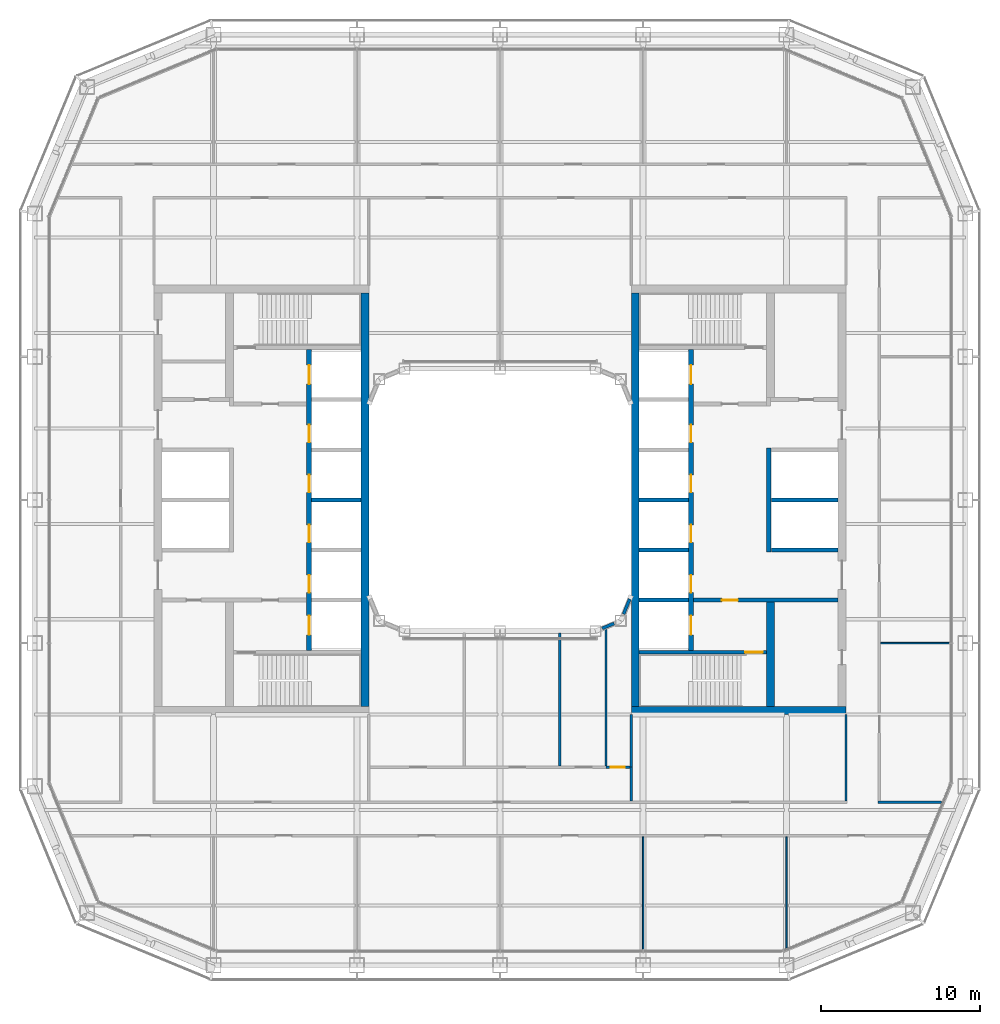
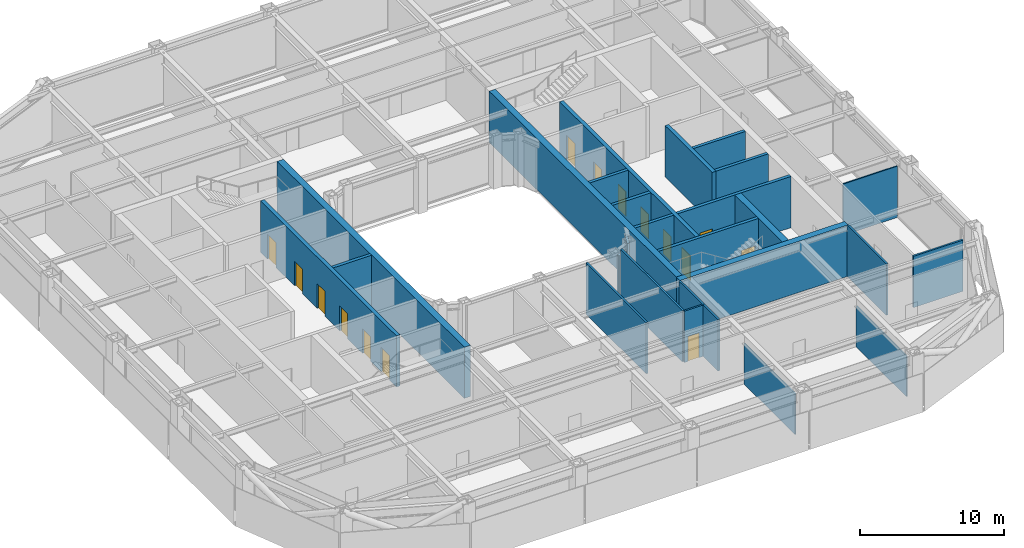
# One storey, part 12 of 21: 27 walls, 15 doors, 15 openings.
"""IFC4 building model written with IfcOpenShell, lengths in metres."""

from ifc_helpers import new_model, si_unit, direction, frame, frame_2d, origin, place, context, subcontext, project, spatial, rectangle, extrude, material, layer, layer_set, type_object, element, fill, save


model = new_model("IFC4")

# Units and contexts
model_context = context("Model", 3, precision=1e-05, world=origin(), true_north=direction((0.0, 1.0)))
body_context = subcontext(model_context, "Body", "Model", "MODEL_VIEW")
ifc_project = project(units=[si_unit("LENGTHUNIT", "METRE"), si_unit("AREAUNIT", "SQUARE_METRE"), si_unit("VOLUMEUNIT", "CUBIC_METRE"), si_unit("PLANEANGLEUNIT", "RADIAN"), si_unit("MASSUNIT", "GRAM", prefix="KILO")], contexts=[model_context])

# Site, building, storey
site_placement = place(None, origin())
site = spatial("IfcSite", under=ifc_project, at=site_placement, CompositionType="ELEMENT")
building_placement = place(site_placement, origin())
building = spatial("IfcBuilding", under=site, at=building_placement, Name="Siwar Civic Tower", CompositionType="ELEMENT")
storey_placement = place(building_placement, frame((0.0, 0.0, 140.699951171875)))
storey = spatial("IfcBuildingStorey", under=building, at=storey_placement, Name="L30", CompositionType="ELEMENT", Elevation=140.699951171875)

# Wall, opening, door
ifc_material_1 = material(Name="Gypsum board on steel studs", Category="steel")
ifc_layer_1 = layer(ifc_material_1, 0.14990234375)
ifc_layer_set_1 = layer_set([ifc_layer_1], Name="Gypsum board on steel studs")
wall_type_1 = type_object("IfcWallType", Name="COMPARTMENT PARTITION 150 EI 60", PredefinedType="PARTITIONING", material=ifc_layer_set_1)
wall_1_placement = place(storey_placement, frame((6.659912109375, -16.800048828125, 0.0), z_axis=(0.0, 0.0, 1.0), x_axis=(1.0, 0.0, 0.0)))
wall_1 = element("IfcWall", 1, at=wall_1_placement, inside=storey, type_object=wall_type_1, Name="L30/wall/P06", PredefinedType="PARTITIONING", context=body_context, shape_type="SweptSolid", body=[
    extrude(rectangle(XDim=1.51513671875, YDim=0.14990234375, at=frame_2d((0.757568359375, 0.0))), origin(), (0.0, 0.0, 1.0), 4.35009765625),
])
opening_1_placement = place(wall_1_placement, frame((0.2900390625, 0.0, 0.0)))
opening_1 = element("IfcOpeningElement", 2, at=opening_1_placement, cuts=wall_1, Name="Opening D4", PredefinedType="OPENING", context=body_context, shape_type="SweptSolid", body=[
    extrude(rectangle(XDim=0.89990234375, YDim=2.10009765625, at=frame_2d((0.449951171875, 1.050048828125))), frame((0.0, 0.0849609375, 0.0), z_axis=(0.0, -1.0, 0.0), x_axis=(1.0, 0.0, 0.0)), (0.0, 0.0, 1.0), 0.169921875),
])
ifc_material_2 = material(Name="Timber, painted", Category="wood")
door_type_1 = type_object("IfcDoorType", Name="DOOR 900 X 2100 FD60", OperationType="SINGLE_SWING_LEFT", PredefinedType="DOOR", material=ifc_material_2)
door_1_placement = place(opening_1_placement, origin())
door_1 = element("IfcDoor", 3, at=door_1_placement, inside=storey, type_object=door_type_1, Name="L30-D19", OperationType="SINGLE_SWING_LEFT", OverallHeight=2.10009765625, OverallWidth=0.89990234375, PredefinedType="DOOR", context=body_context, shape_type="SweptSolid", body=[
    extrude(rectangle(XDim=0.89990234375, YDim=2.10009765625, at=frame_2d((0.449951171875, 1.050048828125))), frame((0.0, 0.02490234375, 0.0), z_axis=(0.0, -1.0, 0.0), x_axis=(1.0, 0.0, 0.0)), (0.0, 0.0, 1.0), 0.050048828125),
])
fill(opening_1, door_1)

# Walls
wall_2_placement = place(storey_placement, frame((6.659912109375, -16.72509765625, 0.0), z_axis=(0.0, 0.0, 1.0), x_axis=(0.0, 1.0, 0.0)))
element("IfcWall", 4, at=wall_2_placement, inside=storey, type_object=wall_type_1, Name="L30/wall/P28", PredefinedType="PARTITIONING", context=body_context, shape_type="SweptSolid", body=[
    extrude(rectangle(XDim=8.59814453125, YDim=0.14990234375, at=frame_2d((4.299072265625, 0.0))), origin(), (0.0, 0.0, 1.0), 4.35009765625),
])
wall_3_placement = place(storey_placement, frame((8.25, -16.800048828125, 0.0), z_axis=(0.0, 0.0, 1.0), x_axis=(0.0, 1.0, 0.0)))
element("IfcWall", 5, at=wall_3_placement, inside=storey, type_object=wall_type_1, Name="L30/wall/P31", PredefinedType="PARTITIONING", context=body_context, shape_type="SweptSolid", body=[
    extrude(rectangle(XDim=3.300048828125, YDim=0.14990234375, at=frame_2d((1.64990234375, 0.0))), origin(), (0.0, 0.0, 1.0), 4.35009765625),
])
ifc_material_3 = material(Name="Concrete C60/75", Category="concrete")
ifc_layer_2 = layer(ifc_material_3, 0.25)
ifc_layer_set_2 = layer_set([ifc_layer_2], Name="Concrete C60/75")
wall_type_2 = type_object("IfcWallType", Name="CORE-WALL-RC250", PredefinedType="SHEAR", material=ifc_layer_set_2)
wall_4_placement = place(storey_placement, frame((-8.75, 0.0, 0.0), z_axis=(0.0, 0.0, 1.0), x_axis=(-1.0, 0.0, 0.0)))
element("IfcWall", 6, at=wall_4_placement, inside=storey, type_object=wall_type_2, Name="Core wall W", PredefinedType="SHEAR", context=body_context, shape_type="SweptSolid", body=[
    extrude(rectangle(XDim=3.10009765625, YDim=0.25, at=frame_2d((1.550048828125, 0.0))), origin(), (0.0, 0.0, 1.0), 4.35009765625),
])

# Wall, opening, door
wall_5_placement = place(storey_placement, frame((12.14990234375, -6.300048828125, 0.0), z_axis=(0.0, 0.0, 1.0), x_axis=(1.0, 0.0, 0.0)))
wall_5 = element("IfcWall", 7, at=wall_5_placement, inside=storey, type_object=wall_type_2, Name="Core wall E", PredefinedType="SHEAR", context=body_context, shape_type="SweptSolid", body=[
    extrude(rectangle(XDim=9.10009765625, YDim=0.25, at=frame_2d((4.550048828125, 0.0))), origin(), (0.0, 0.0, 1.0), 4.35009765625),
])
opening_2_placement = place(wall_5_placement, frame((1.800048828125, 0.0, 0.0)))
opening_2 = element("IfcOpeningElement", 8, at=opening_2_placement, cuts=wall_5, Name="Opening L30-CE02", PredefinedType="OPENING", context=body_context, shape_type="SweptSolid", body=[
    extrude(rectangle(XDim=1.0, YDim=2.10009765625, at=frame_2d((0.5, 1.050048828125))), frame((0.0, 0.135009765625, 0.0), z_axis=(0.0, -1.0, 0.0), x_axis=(1.0, 0.0, 0.0)), (0.0, 0.0, 1.0), 0.27001953125),
])
ifc_material_4 = material(Name="Steel door leaf", Category="steel")
door_type_2 = type_object("IfcDoorType", Name="CORE-DOOR-FD30S", OperationType="SINGLE_SWING_LEFT", PredefinedType="DOOR", material=ifc_material_4)
door_2_placement = place(opening_2_placement, origin())
door_2 = element("IfcDoor", 9, at=door_2_placement, inside=storey, type_object=door_type_2, Name="Service lobby door L30-CE02", OperationType="SINGLE_SWING_LEFT", OverallHeight=2.10009765625, OverallWidth=1.0, PredefinedType="DOOR", context=body_context, shape_type="SweptSolid", body=[
    extrude(rectangle(XDim=1.0, YDim=2.10009765625, at=frame_2d((0.5, 1.050048828125))), frame((0.0, 0.02490234375, 0.0), z_axis=(0.0, -1.0, 0.0), x_axis=(1.0, 0.0, 0.0)), (0.0, 0.0, 1.0), 0.050048828125),
])
fill(opening_2, door_2)

# Walls
for number, where, z_axis, x_axis, name in (
    (10, (17.050048828125, 0.0, 0.0), (0.0, 0.0, 1.0), (1.0, 0.0, 0.0), "Core wall E"),
    (11, (17.050048828125, -3.14990234375, 0.0), (0.0, 0.0, 1.0), (1.0, 0.0, 0.0), "Core wall E"),
):
    element("IfcWall", number, at=place(storey_placement, frame(where, z_axis=z_axis, x_axis=x_axis)), inside=storey, type_object=wall_type_2, Name=name, PredefinedType="SHEAR", context=body_context, shape_type="SweptSolid", body=[
        extrude(rectangle(XDim=4.199951171875, YDim=0.25, at=frame_2d((2.10009765625, 0.0))), origin(), (0.0, 0.0, 1.0), 4.35009765625),
    ])
for number, where, z_axis, x_axis, name in (
    (12, (8.75, 0.0, 0.0), (0.0, 0.0, 1.0), (1.0, 0.0, 0.0), "Core wall E"),
    (13, (8.75, -3.14990234375, 0.0), (0.0, 0.0, 1.0), (1.0, 0.0, 0.0), "Core wall E"),
    (14, (8.75, -6.300048828125, 0.0), (0.0, 0.0, 1.0), (1.0, 0.0, 0.0), "Core wall E"),
):
    element("IfcWall", number, at=place(storey_placement, frame(where, z_axis=z_axis, x_axis=x_axis)), inside=storey, type_object=wall_type_2, Name=name, PredefinedType="SHEAR", context=body_context, shape_type="SweptSolid", body=[
        extrude(rectangle(XDim=3.10009765625, YDim=0.25, at=frame_2d((1.550048828125, 0.0))), origin(), (0.0, 0.0, 1.0), 4.35009765625),
    ])

# Wall, opening, door
wall_6_placement = place(storey_placement, frame((8.75, -9.574951171875, 0.0), z_axis=(0.0, 0.0, 1.0), x_axis=(1.0, 0.0, 0.0)))
wall_6 = element("IfcWall", 15, at=wall_6_placement, inside=storey, type_object=wall_type_2, Name="Core wall E", PredefinedType="SHEAR", context=body_context, shape_type="SweptSolid", body=[
    extrude(rectangle(XDim=8.0, YDim=0.25, at=frame_2d((4.0, 0.0))), origin(), (0.0, 0.0, 1.0), 4.35009765625),
])
opening_3_placement = place(wall_6_placement, frame((6.64990234375, 0.0, 0.0)))
opening_3 = element("IfcOpeningElement", 16, at=opening_3_placement, cuts=wall_6, Name="Opening L30-CE04", PredefinedType="OPENING", context=body_context, shape_type="SweptSolid", body=[
    extrude(rectangle(XDim=1.10009765625, YDim=2.10009765625, at=frame_2d((0.550048828125, 1.050048828125))), frame((0.0, 0.135009765625, 0.0), z_axis=(0.0, -1.0, 0.0), x_axis=(1.0, 0.0, 0.0)), (0.0, 0.0, 1.0), 0.27001953125),
])
ifc_material_5 = material(Name="Steel door leaf", Category="steel")
door_type_3 = type_object("IfcDoorType", Name="CORE-DOOR-FD60S", OperationType="SINGLE_SWING_LEFT", PredefinedType="DOOR", material=ifc_material_5)
door_3_placement = place(opening_3_placement, origin())
door_3 = element("IfcDoor", 17, at=door_3_placement, inside=storey, type_object=door_type_3, Name="Stair door L30-CE04", OperationType="SINGLE_SWING_RIGHT", OverallHeight=2.10009765625, OverallWidth=1.10009765625, PredefinedType="DOOR", context=body_context, shape_type="SweptSolid", body=[
    extrude(rectangle(XDim=1.10009765625, YDim=2.10009765625, at=frame_2d((0.550048828125, 1.050048828125))), frame((0.0, 0.02490234375, 0.0), z_axis=(0.0, -1.0, 0.0), x_axis=(1.0, 0.0, 0.0)), (0.0, 0.0, 1.0), 0.050048828125),
])
fill(opening_3, door_3)

# Wall, openings, doors
ifc_material_6 = material(Name="Concrete C60/75", Category="concrete")
ifc_layer_3 = layer(ifc_material_6, 0.300048828125)
ifc_layer_set_3 = layer_set([ifc_layer_3], Name="Concrete C60/75")
wall_type_3 = type_object("IfcWallType", Name="CORE-WALL-RC300", PredefinedType="SHEAR", material=ifc_layer_set_3)
wall_7_placement = place(storey_placement, frame((-12.0, -9.449951171875, 0.0), z_axis=(0.0, 0.0, 1.0), x_axis=(0.0, 1.0, 0.0)))
wall_7 = element("IfcWall", 18, at=wall_7_placement, inside=storey, type_object=wall_type_3, Name="Core wall W", PredefinedType="SHEAR", context=body_context, shape_type="SweptSolid", body=[
    extrude(rectangle(XDim=18.89990234375, YDim=0.300048828125, at=frame_2d((9.449951171875, 0.0))), origin(), (0.0, 0.0, 1.0), 4.35009765625),
])
opening_4_placement = place(wall_7_placement, frame((3.625, 0.0, 0.0)))
opening_4 = element("IfcOpeningElement", 19, at=opening_4_placement, cuts=wall_7, Name="Opening L30-CW07", PredefinedType="OPENING", context=body_context, shape_type="SweptSolid", body=[
    extrude(rectangle(XDim=1.10009765625, YDim=2.10009765625, at=frame_2d((0.550048828125, 1.050048828125))), frame((0.0, 0.16015625, 0.0), z_axis=(0.0, -1.0, 0.0), x_axis=(1.0, 0.0, 0.0)), (0.0, 0.0, 1.0), 0.320068359375),
])
opening_5_placement = place(wall_7_placement, frame((6.77490234375, 0.0, 0.0)))
opening_5 = element("IfcOpeningElement", 20, at=opening_5_placement, cuts=wall_7, Name="Opening L30-CW08", PredefinedType="OPENING", context=body_context, shape_type="SweptSolid", body=[
    extrude(rectangle(XDim=1.10009765625, YDim=2.10009765625, at=frame_2d((0.550048828125, 1.050048828125))), frame((0.0, 0.16015625, 0.0), z_axis=(0.0, -1.0, 0.0), x_axis=(1.0, 0.0, 0.0)), (0.0, 0.0, 1.0), 0.320068359375),
])
opening_6_placement = place(wall_7_placement, frame((9.925048828125, 0.0, 0.0)))
opening_6 = element("IfcOpeningElement", 21, at=opening_6_placement, cuts=wall_7, Name="Opening L30-CW09", PredefinedType="OPENING", context=body_context, shape_type="SweptSolid", body=[
    extrude(rectangle(XDim=1.10009765625, YDim=2.10009765625, at=frame_2d((0.550048828125, 1.050048828125))), frame((0.0, 0.16015625, 0.0), z_axis=(0.0, -1.0, 0.0), x_axis=(1.0, 0.0, 0.0)), (0.0, 0.0, 1.0), 0.320068359375),
])
opening_7_placement = place(wall_7_placement, frame((13.074951171875, 0.0, 0.0)))
opening_7 = element("IfcOpeningElement", 22, at=opening_7_placement, cuts=wall_7, Name="Opening L30-CW10", PredefinedType="OPENING", context=body_context, shape_type="SweptSolid", body=[
    extrude(rectangle(XDim=1.10009765625, YDim=2.10009765625, at=frame_2d((0.550048828125, 1.050048828125))), frame((0.0, 0.16015625, 0.0), z_axis=(0.0, -1.0, 0.0), x_axis=(1.0, 0.0, 0.0)), (0.0, 0.0, 1.0), 0.320068359375),
])
opening_8_placement = place(wall_7_placement, frame((16.72509765625, 0.0, 0.0)))
opening_8 = element("IfcOpeningElement", 23, at=opening_8_placement, cuts=wall_7, Name="Opening L30-CW11", PredefinedType="OPENING", context=body_context, shape_type="SweptSolid", body=[
    extrude(rectangle(XDim=1.199951171875, YDim=2.10009765625, at=frame_2d((0.60009765625, 1.050048828125))), frame((0.0, 0.16015625, 0.0), z_axis=(0.0, -1.0, 0.0), x_axis=(1.0, 0.0, 0.0)), (0.0, 0.0, 1.0), 0.320068359375),
])
opening_9_placement = place(wall_7_placement, frame((0.97509765625, 0.0, 0.0)))
opening_9 = element("IfcOpeningElement", 24, at=opening_9_placement, cuts=wall_7, Name="Opening L30-CW12", PredefinedType="OPENING", context=body_context, shape_type="SweptSolid", body=[
    extrude(rectangle(XDim=1.199951171875, YDim=2.10009765625, at=frame_2d((0.60009765625, 1.050048828125))), frame((0.0, 0.16015625, 0.0), z_axis=(0.0, -1.0, 0.0), x_axis=(1.0, 0.0, 0.0)), (0.0, 0.0, 1.0), 0.320068359375),
])
ifc_material_7 = material(Name="Steel door leaf", Category="steel")
door_type_4 = type_object("IfcDoorType", Name="CORE-DOOR-LD", OperationType="DOUBLE_DOOR_SLIDING", PredefinedType="DOOR", material=ifc_material_7)
door_4_placement = place(opening_4_placement, origin())
door_4 = element("IfcDoor", 25, at=door_4_placement, inside=storey, type_object=door_type_4, Name="Landing door LR1 L30-CW07", OperationType="DOUBLE_DOOR_SLIDING", OverallHeight=2.10009765625, OverallWidth=1.10009765625, PredefinedType="DOOR", context=body_context, shape_type="SweptSolid", body=[
    extrude(rectangle(XDim=1.10009765625, YDim=2.10009765625, at=frame_2d((0.550048828125, 1.050048828125))), frame((0.0, 0.02490234375, 0.0), z_axis=(0.0, -1.0, 0.0), x_axis=(1.0, 0.0, 0.0)), (0.0, 0.0, 1.0), 0.050048828125),
])
fill(opening_4, door_4)
door_5_placement = place(opening_5_placement, origin())
door_5 = element("IfcDoor", 26, at=door_5_placement, inside=storey, type_object=door_type_4, Name="Landing door LR2 L30-CW08", OperationType="DOUBLE_DOOR_SLIDING", OverallHeight=2.10009765625, OverallWidth=1.10009765625, PredefinedType="DOOR", context=body_context, shape_type="SweptSolid", body=[
    extrude(rectangle(XDim=1.10009765625, YDim=2.10009765625, at=frame_2d((0.550048828125, 1.050048828125))), frame((0.0, 0.02490234375, 0.0), z_axis=(0.0, -1.0, 0.0), x_axis=(1.0, 0.0, 0.0)), (0.0, 0.0, 1.0), 0.050048828125),
])
fill(opening_5, door_5)
door_6_placement = place(opening_6_placement, origin())
door_6 = element("IfcDoor", 27, at=door_6_placement, inside=storey, type_object=door_type_4, Name="Landing door LR3 L30-CW09", OperationType="DOUBLE_DOOR_SLIDING", OverallHeight=2.10009765625, OverallWidth=1.10009765625, PredefinedType="DOOR", context=body_context, shape_type="SweptSolid", body=[
    extrude(rectangle(XDim=1.10009765625, YDim=2.10009765625, at=frame_2d((0.550048828125, 1.050048828125))), frame((0.0, 0.02490234375, 0.0), z_axis=(0.0, -1.0, 0.0), x_axis=(1.0, 0.0, 0.0)), (0.0, 0.0, 1.0), 0.050048828125),
])
fill(opening_6, door_6)
door_7_placement = place(opening_7_placement, origin())
door_7 = element("IfcDoor", 28, at=door_7_placement, inside=storey, type_object=door_type_4, Name="Landing door LR4 L30-CW10", OperationType="DOUBLE_DOOR_SLIDING", OverallHeight=2.10009765625, OverallWidth=1.10009765625, PredefinedType="DOOR", context=body_context, shape_type="SweptSolid", body=[
    extrude(rectangle(XDim=1.10009765625, YDim=2.10009765625, at=frame_2d((0.550048828125, 1.050048828125))), frame((0.0, 0.02490234375, 0.0), z_axis=(0.0, -1.0, 0.0), x_axis=(1.0, 0.0, 0.0)), (0.0, 0.0, 1.0), 0.050048828125),
])
fill(opening_7, door_7)
ifc_material_8 = material(Name="Steel door leaf", Category="steel")
door_type_5 = type_object("IfcDoorType", Name="CORE-DOOR-LDW", OperationType="DOUBLE_DOOR_SLIDING", PredefinedType="DOOR", material=ifc_material_8)
door_8_placement = place(opening_8_placement, origin())
door_8 = element("IfcDoor", 29, at=door_8_placement, inside=storey, type_object=door_type_5, Name="Landing door FF1 L30-CW11", OperationType="DOUBLE_DOOR_SLIDING", OverallHeight=2.10009765625, OverallWidth=1.199951171875, PredefinedType="DOOR", context=body_context, shape_type="SweptSolid", body=[
    extrude(rectangle(XDim=1.199951171875, YDim=2.10009765625, at=frame_2d((0.60009765625, 1.050048828125))), frame((0.0, 0.02490234375, 0.0), z_axis=(0.0, -1.0, 0.0), x_axis=(1.0, 0.0, 0.0)), (0.0, 0.0, 1.0), 0.050048828125),
])
fill(opening_8, door_8)
door_9_placement = place(opening_9_placement, origin())
door_9 = element("IfcDoor", 30, at=door_9_placement, inside=storey, type_object=door_type_5, Name="Landing door SV1 L30-CW12", OperationType="DOUBLE_DOOR_SLIDING", OverallHeight=2.10009765625, OverallWidth=1.199951171875, PredefinedType="DOOR", context=body_context, shape_type="SweptSolid", body=[
    extrude(rectangle(XDim=1.199951171875, YDim=2.10009765625, at=frame_2d((0.60009765625, 1.050048828125))), frame((0.0, 0.02490234375, 0.0), z_axis=(0.0, -1.0, 0.0), x_axis=(1.0, 0.0, 0.0)), (0.0, 0.0, 1.0), 0.050048828125),
])
fill(opening_9, door_9)

wall_8_placement = place(storey_placement, frame((12.0, -9.449951171875, 0.0), z_axis=(0.0, 0.0, 1.0), x_axis=(0.0, 1.0, 0.0)))
wall_8 = element("IfcWall", 31, at=wall_8_placement, inside=storey, type_object=wall_type_3, Name="Core wall E", PredefinedType="SHEAR", context=body_context, shape_type="SweptSolid", body=[
    extrude(rectangle(XDim=18.89990234375, YDim=0.300048828125, at=frame_2d((9.449951171875, 0.0))), origin(), (0.0, 0.0, 1.0), 4.35009765625),
])
opening_10_placement = place(wall_8_placement, frame((3.625, 0.0, 0.0)))
opening_10 = element("IfcOpeningElement", 32, at=opening_10_placement, cuts=wall_8, Name="Opening L30-CE07", PredefinedType="OPENING", context=body_context, shape_type="SweptSolid", body=[
    extrude(rectangle(XDim=1.10009765625, YDim=2.10009765625, at=frame_2d((0.550048828125, 1.050048828125))), frame((0.0, 0.16015625, 0.0), z_axis=(0.0, -1.0, 0.0), x_axis=(1.0, 0.0, 0.0)), (0.0, 0.0, 1.0), 0.320068359375),
])
opening_11_placement = place(wall_8_placement, frame((6.77490234375, 0.0, 0.0)))
opening_11 = element("IfcOpeningElement", 33, at=opening_11_placement, cuts=wall_8, Name="Opening L30-CE08", PredefinedType="OPENING", context=body_context, shape_type="SweptSolid", body=[
    extrude(rectangle(XDim=1.10009765625, YDim=2.10009765625, at=frame_2d((0.550048828125, 1.050048828125))), frame((0.0, 0.16015625, 0.0), z_axis=(0.0, -1.0, 0.0), x_axis=(1.0, 0.0, 0.0)), (0.0, 0.0, 1.0), 0.320068359375),
])
opening_12_placement = place(wall_8_placement, frame((9.925048828125, 0.0, 0.0)))
opening_12 = element("IfcOpeningElement", 34, at=opening_12_placement, cuts=wall_8, Name="Opening L30-CE09", PredefinedType="OPENING", context=body_context, shape_type="SweptSolid", body=[
    extrude(rectangle(XDim=1.10009765625, YDim=2.10009765625, at=frame_2d((0.550048828125, 1.050048828125))), frame((0.0, 0.16015625, 0.0), z_axis=(0.0, -1.0, 0.0), x_axis=(1.0, 0.0, 0.0)), (0.0, 0.0, 1.0), 0.320068359375),
])
opening_13_placement = place(wall_8_placement, frame((13.074951171875, 0.0, 0.0)))
opening_13 = element("IfcOpeningElement", 35, at=opening_13_placement, cuts=wall_8, Name="Opening L30-CE10", PredefinedType="OPENING", context=body_context, shape_type="SweptSolid", body=[
    extrude(rectangle(XDim=1.10009765625, YDim=2.10009765625, at=frame_2d((0.550048828125, 1.050048828125))), frame((0.0, 0.16015625, 0.0), z_axis=(0.0, -1.0, 0.0), x_axis=(1.0, 0.0, 0.0)), (0.0, 0.0, 1.0), 0.320068359375),
])
opening_14_placement = place(wall_8_placement, frame((16.72509765625, 0.0, 0.0)))
opening_14 = element("IfcOpeningElement", 36, at=opening_14_placement, cuts=wall_8, Name="Opening L30-CE11", PredefinedType="OPENING", context=body_context, shape_type="SweptSolid", body=[
    extrude(rectangle(XDim=1.199951171875, YDim=2.10009765625, at=frame_2d((0.60009765625, 1.050048828125))), frame((0.0, 0.16015625, 0.0), z_axis=(0.0, -1.0, 0.0), x_axis=(1.0, 0.0, 0.0)), (0.0, 0.0, 1.0), 0.320068359375),
])
opening_15_placement = place(wall_8_placement, frame((0.97509765625, 0.0, 0.0)))
opening_15 = element("IfcOpeningElement", 37, at=opening_15_placement, cuts=wall_8, Name="Opening L30-CE12", PredefinedType="OPENING", context=body_context, shape_type="SweptSolid", body=[
    extrude(rectangle(XDim=1.199951171875, YDim=2.10009765625, at=frame_2d((0.60009765625, 1.050048828125))), frame((0.0, 0.16015625, 0.0), z_axis=(0.0, -1.0, 0.0), x_axis=(1.0, 0.0, 0.0)), (0.0, 0.0, 1.0), 0.320068359375),
])
door_10_placement = place(opening_10_placement, origin())
door_10 = element("IfcDoor", 38, at=door_10_placement, inside=storey, type_object=door_type_4, Name="Landing door LR5 L30-CE07", OperationType="DOUBLE_DOOR_SLIDING", OverallHeight=2.10009765625, OverallWidth=1.10009765625, PredefinedType="DOOR", context=body_context, shape_type="SweptSolid", body=[
    extrude(rectangle(XDim=1.10009765625, YDim=2.10009765625, at=frame_2d((0.550048828125, 1.050048828125))), frame((0.0, 0.02490234375, 0.0), z_axis=(0.0, -1.0, 0.0), x_axis=(1.0, 0.0, 0.0)), (0.0, 0.0, 1.0), 0.050048828125),
])
fill(opening_10, door_10)
door_11_placement = place(opening_11_placement, origin())
door_11 = element("IfcDoor", 39, at=door_11_placement, inside=storey, type_object=door_type_4, Name="Landing door LR6 L30-CE08", OperationType="DOUBLE_DOOR_SLIDING", OverallHeight=2.10009765625, OverallWidth=1.10009765625, PredefinedType="DOOR", context=body_context, shape_type="SweptSolid", body=[
    extrude(rectangle(XDim=1.10009765625, YDim=2.10009765625, at=frame_2d((0.550048828125, 1.050048828125))), frame((0.0, 0.02490234375, 0.0), z_axis=(0.0, -1.0, 0.0), x_axis=(1.0, 0.0, 0.0)), (0.0, 0.0, 1.0), 0.050048828125),
])
fill(opening_11, door_11)
door_12_placement = place(opening_12_placement, origin())
door_12 = element("IfcDoor", 40, at=door_12_placement, inside=storey, type_object=door_type_4, Name="Landing door LR7 L30-CE09", OperationType="DOUBLE_DOOR_SLIDING", OverallHeight=2.10009765625, OverallWidth=1.10009765625, PredefinedType="DOOR", context=body_context, shape_type="SweptSolid", body=[
    extrude(rectangle(XDim=1.10009765625, YDim=2.10009765625, at=frame_2d((0.550048828125, 1.050048828125))), frame((0.0, 0.02490234375, 0.0), z_axis=(0.0, -1.0, 0.0), x_axis=(1.0, 0.0, 0.0)), (0.0, 0.0, 1.0), 0.050048828125),
])
fill(opening_12, door_12)
door_13_placement = place(opening_13_placement, origin())
door_13 = element("IfcDoor", 41, at=door_13_placement, inside=storey, type_object=door_type_4, Name="Landing door LR8 L30-CE10", OperationType="DOUBLE_DOOR_SLIDING", OverallHeight=2.10009765625, OverallWidth=1.10009765625, PredefinedType="DOOR", context=body_context, shape_type="SweptSolid", body=[
    extrude(rectangle(XDim=1.10009765625, YDim=2.10009765625, at=frame_2d((0.550048828125, 1.050048828125))), frame((0.0, 0.02490234375, 0.0), z_axis=(0.0, -1.0, 0.0), x_axis=(1.0, 0.0, 0.0)), (0.0, 0.0, 1.0), 0.050048828125),
])
fill(opening_13, door_13)
door_14_placement = place(opening_14_placement, origin())
door_14 = element("IfcDoor", 42, at=door_14_placement, inside=storey, type_object=door_type_5, Name="Landing door FF2 L30-CE11", OperationType="DOUBLE_DOOR_SLIDING", OverallHeight=2.10009765625, OverallWidth=1.199951171875, PredefinedType="DOOR", context=body_context, shape_type="SweptSolid", body=[
    extrude(rectangle(XDim=1.199951171875, YDim=2.10009765625, at=frame_2d((0.60009765625, 1.050048828125))), frame((0.0, 0.02490234375, 0.0), z_axis=(0.0, -1.0, 0.0), x_axis=(1.0, 0.0, 0.0)), (0.0, 0.0, 1.0), 0.050048828125),
])
fill(opening_14, door_14)
door_15_placement = place(opening_15_placement, origin())
door_15 = element("IfcDoor", 43, at=door_15_placement, inside=storey, type_object=door_type_5, Name="Landing door SV2 L30-CE12", OperationType="DOUBLE_DOOR_SLIDING", OverallHeight=2.10009765625, OverallWidth=1.199951171875, PredefinedType="DOOR", context=body_context, shape_type="SweptSolid", body=[
    extrude(rectangle(XDim=1.199951171875, YDim=2.10009765625, at=frame_2d((0.60009765625, 1.050048828125))), frame((0.0, 0.02490234375, 0.0), z_axis=(0.0, -1.0, 0.0), x_axis=(1.0, 0.0, 0.0)), (0.0, 0.0, 1.0), 0.050048828125),
])
fill(opening_15, door_15)

# Walls
wall_9_placement = place(storey_placement, frame((16.89990234375, -3.27490234375, 0.0), z_axis=(0.0, 0.0, 1.0), x_axis=(0.0, 1.0, 0.0)))
element("IfcWall", 44, at=wall_9_placement, inside=storey, type_object=wall_type_3, Name="Core wall E", PredefinedType="SHEAR", context=body_context, shape_type="SweptSolid", body=[
    extrude(rectangle(XDim=6.5498046875, YDim=0.300048828125, at=frame_2d((3.27490234375, 0.0))), origin(), (0.0, 0.0, 1.0), 4.35009765625),
])
ifc_material_9 = material(Name="Concrete C60/75", Category="concrete")
ifc_layer_4 = layer(ifc_material_9, 0.5)
ifc_layer_set_4 = layer_set([ifc_layer_4], Name="Concrete C60/75")
wall_type_4 = type_object("IfcWallType", Name="CORE-WALL-RC500", PredefinedType="SHEAR", material=ifc_layer_set_4)
wall_10_placement = place(storey_placement, frame((17.0, -13.0, 0.0), z_axis=(0.0, 0.0, 1.0), x_axis=(0.0, 1.0, 0.0)))
element("IfcWall", 45, at=wall_10_placement, inside=storey, type_object=wall_type_4, Name="Core wall E", PredefinedType="SHEAR", context=body_context, shape_type="SweptSolid", body=[
    extrude(rectangle(XDim=6.574951171875, YDim=0.5, at=frame_2d((3.28759765625, 0.0))), origin(), (0.0, 0.0, 1.0), 4.35009765625),
])
wall_11_placement = place(storey_placement, frame((8.25, -13.25, 0.0), z_axis=(0.0, 0.0, 1.0), x_axis=(1.0, 0.0, 0.0)))
element("IfcWall", 46, at=wall_11_placement, inside=storey, type_object=wall_type_4, Name="Core wall E", PredefinedType="SHEAR", context=body_context, shape_type="SweptSolid", body=[
    extrude(rectangle(XDim=13.5, YDim=0.5, at=frame_2d((6.75, 0.0))), origin(), (0.0, 0.0, 1.0), 4.35009765625),
])
ifc_material_10 = material(Name="Concrete C60/75", Category="concrete")
ifc_layer_5 = layer(ifc_material_10, 0.5)
ifc_layer_set_5 = layer_set([ifc_layer_5], Name="Concrete C60/75")
wall_type_5 = type_object("IfcWallType", Name="CORE-WALL-RC500-EXT", PredefinedType="SHEAR", material=ifc_layer_set_5)
for number, where, z_axis, x_axis, name in (
    (47, (-8.5, -13.0, 0.0), (0.0, 0.0, 1.0), (0.0, 1.0, 0.0), "Core wall W"),
    (48, (8.5, -13.0, 0.0), (0.0, 0.0, 1.0), (0.0, 1.0, 0.0), "Core wall E"),
):
    element("IfcWall", number, at=place(storey_placement, frame(where, z_axis=z_axis, x_axis=x_axis)), inside=storey, type_object=wall_type_5, Name=name, PredefinedType="SHEAR", context=body_context, shape_type="SweptSolid", body=[
        extrude(rectangle(XDim=26.0, YDim=0.5, at=frame_2d((13.0, 0.0))), origin(), (0.0, 0.0, 1.0), 4.35009765625),
    ])
ifc_material_11 = material(Name="Gypsum board on steel studs", Category="steel")
ifc_layer_6 = layer(ifc_material_11, 0.14990234375)
ifc_layer_set_6 = layer_set([ifc_layer_6], Name="Gypsum board on steel studs")
wall_type_6 = type_object("IfcWallType", Name="CORRIDOR PARTITION 150 EI 30", PredefinedType="PARTITIONING", material=ifc_layer_set_6)
wall_12_placement = place(storey_placement, frame((23.77490234375, -19.0, 0.0), z_axis=(0.0, 0.0, 1.0), x_axis=(1.0, 0.0, 0.0)))
element("IfcWall", 49, at=wall_12_placement, inside=storey, type_object=wall_type_6, Name="L30/wall/P04", PredefinedType="PARTITIONING", context=body_context, shape_type="SweptSolid", body=[
    extrude(rectangle(XDim=3.989013671875, YDim=0.14990234375, at=frame_2d((1.99462890625, 0.0))), origin(), (0.0, 0.0, 1.0), 4.35009765625),
])
wall_13_placement = place(storey_placement, frame((3.75, -16.72509765625, 0.0), z_axis=(0.0, 0.0, 1.0), x_axis=(0.0, 1.0, 0.0)))
element("IfcWall", 50, at=wall_13_placement, inside=storey, type_object=wall_type_6, Name="L30/wall/P27", PredefinedType="PARTITIONING", context=body_context, shape_type="SweptSolid", body=[
    extrude(rectangle(XDim=8.35498046875, YDim=0.14990234375, at=frame_2d((4.177490234375, 0.0))), origin(), (0.0, 0.0, 1.0), 4.35009765625),
])
wall_14_placement = place(storey_placement, frame((8.25, -18.925048828125, 0.0), z_axis=(0.0, 0.0, 1.0), x_axis=(0.0, 1.0, 0.0)))
element("IfcWall", 51, at=wall_14_placement, inside=storey, type_object=wall_type_6, Name="L30/wall/P30", PredefinedType="PARTITIONING", context=body_context, shape_type="SweptSolid", body=[
    extrude(rectangle(XDim=2.125, YDim=0.14990234375, at=frame_2d((1.0625, 0.0))), origin(), (0.0, 0.0, 1.0), 4.35009765625),
])
wall_15_placement = place(storey_placement, frame((21.75, -18.925048828125, 0.0), z_axis=(0.0, 0.0, 1.0), x_axis=(0.0, 1.0, 0.0)))
element("IfcWall", 52, at=wall_15_placement, inside=storey, type_object=wall_type_6, Name="L30/wall/P36", PredefinedType="PARTITIONING", context=body_context, shape_type="SweptSolid", body=[
    extrude(rectangle(XDim=5.425048828125, YDim=0.14990234375, at=frame_2d((2.71240234375, 0.0))), origin(), (0.0, 0.0, 1.0), 4.35009765625),
])
ifc_material_12 = material(Name="Aluminium clad insulated panel", Category="aluminium")
ifc_layer_7 = layer(ifc_material_12, 0.199951171875)
ifc_layer_set_7 = layer_set([ifc_layer_7], Name="Aluminium clad insulated panel")
wall_type_7 = type_object("IfcWallType", Name="ENV-WALL-WELL", PredefinedType="STANDARD", material=ifc_layer_set_7)
wall_16_placement = place(storey_placement, frame((6.422607421875, -8.074951171875, 0.0), z_axis=(0.0, 0.0, 1.0), x_axis=(0.923817771127, 0.382832503518, 0.0)))
element("IfcWall", 53, at=wall_16_placement, inside=storey, type_object=wall_type_7, Name="Light well corner wall SE1", PredefinedType="STANDARD", context=body_context, shape_type="SweptSolid", body=[
    extrude(rectangle(XDim=0.807373046875, YDim=0.199951171875, at=frame_2d((0.40380859375, 0.0))), origin(), (0.0, 0.0, 1.0), 3.825927734375),
])
wall_17_placement = place(storey_placement, frame((7.765869140625, -7.16845703125, 0.0), z_axis=(0.0, 0.0, 1.0), x_axis=(0.382769662028, 0.923843810301, 0.0)))
element("IfcWall", 54, at=wall_17_placement, inside=storey, type_object=wall_type_7, Name="Light well corner wall SE2", PredefinedType="STANDARD", context=body_context, shape_type="SweptSolid", body=[
    extrude(rectangle(XDim=1.014892578125, YDim=0.199951171875, at=frame_2d((0.50732421875, 0.0))), origin(), (0.0, 0.0, 1.0), 3.825927734375),
])
ifc_material_13 = material(Name="Gypsum board on steel studs", Category="steel")
ifc_layer_8 = layer(ifc_material_13, 0.10009765625)
ifc_layer_set_8 = layer_set([ifc_layer_8], Name="Gypsum board on steel studs")
wall_type_8 = type_object("IfcWallType", Name="PARTITION 100 GYPSUM", PredefinedType="PARTITIONING", material=ifc_layer_set_8)
wall_18_placement = place(storey_placement, frame((23.925048828125, -9.0, 0.0), z_axis=(0.0, 0.0, 1.0), x_axis=(1.0, 0.0, 0.0)))
element("IfcWall", 55, at=wall_18_placement, inside=storey, type_object=wall_type_8, Name="L30/wall/P07", PredefinedType="PARTITIONING", context=body_context, shape_type="SweptSolid", body=[
    extrude(rectangle(XDim=4.3349609375, YDim=0.10009765625, at=frame_2d((2.16748046875, 0.0))), origin(), (0.0, 0.0, 1.0), 4.35009765625),
])
wall_19_placement = place(storey_placement, frame((9.0, -28.260009765625, 0.0), z_axis=(0.0, 0.0, 1.0), x_axis=(0.0, 1.0, 0.0)))
element("IfcWall", 56, at=wall_19_placement, inside=storey, type_object=wall_type_8, Name="L30/wall/P32", PredefinedType="PARTITIONING", context=body_context, shape_type="SweptSolid", body=[
    extrude(rectangle(XDim=7.0849609375, YDim=0.10009765625, at=frame_2d((3.54248046875, 0.0))), origin(), (0.0, 0.0, 1.0), 3.449951171875),
])
wall_20_placement = place(storey_placement, frame((18.0, -28.177978515625, 0.0), z_axis=(0.0, 0.0, 1.0), x_axis=(0.0, 1.0, 0.0)))
element("IfcWall", 57, at=wall_20_placement, inside=storey, type_object=wall_type_8, Name="L30/wall/P34", PredefinedType="PARTITIONING", context=body_context, shape_type="SweptSolid", body=[
    extrude(rectangle(XDim=7.0029296875, YDim=0.10009765625, at=frame_2d((3.50146484375, 0.0))), origin(), (0.0, 0.0, 1.0), 3.449951171875),
])

save(model, "model.ifc")
